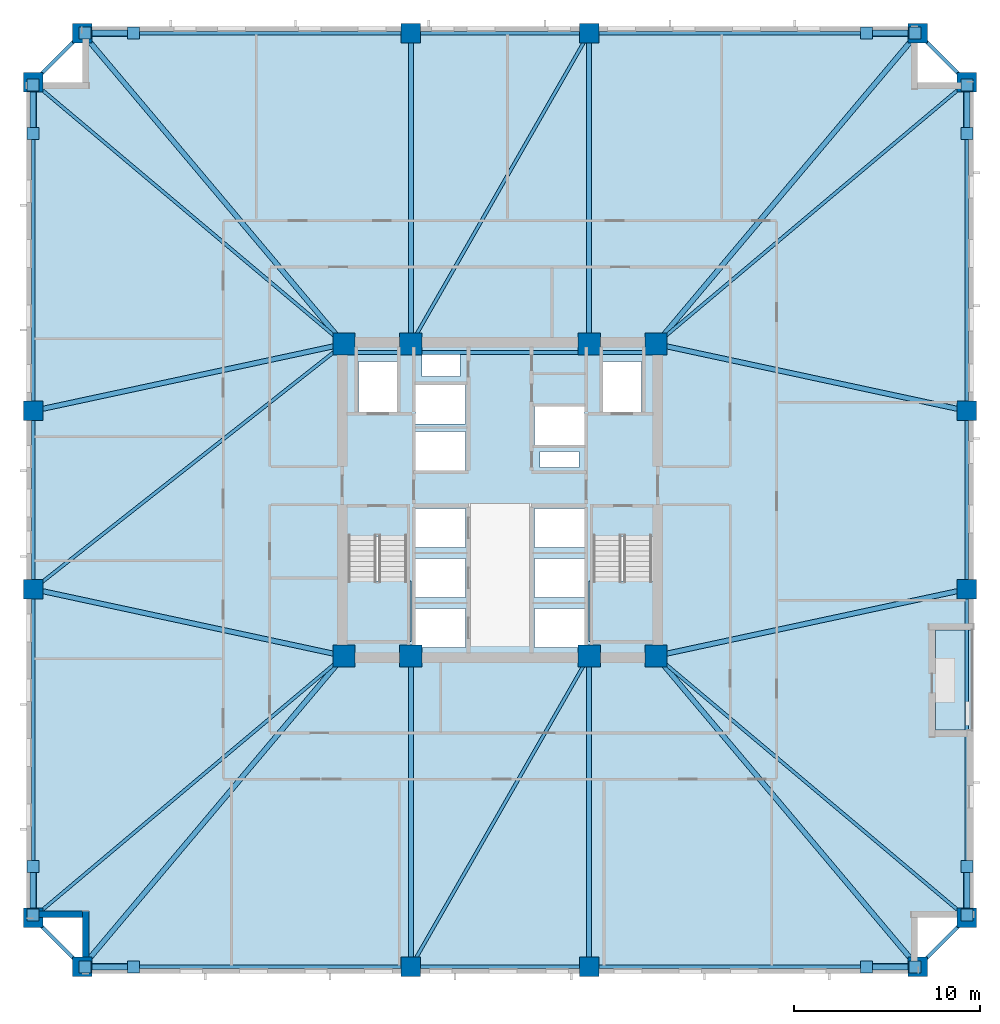
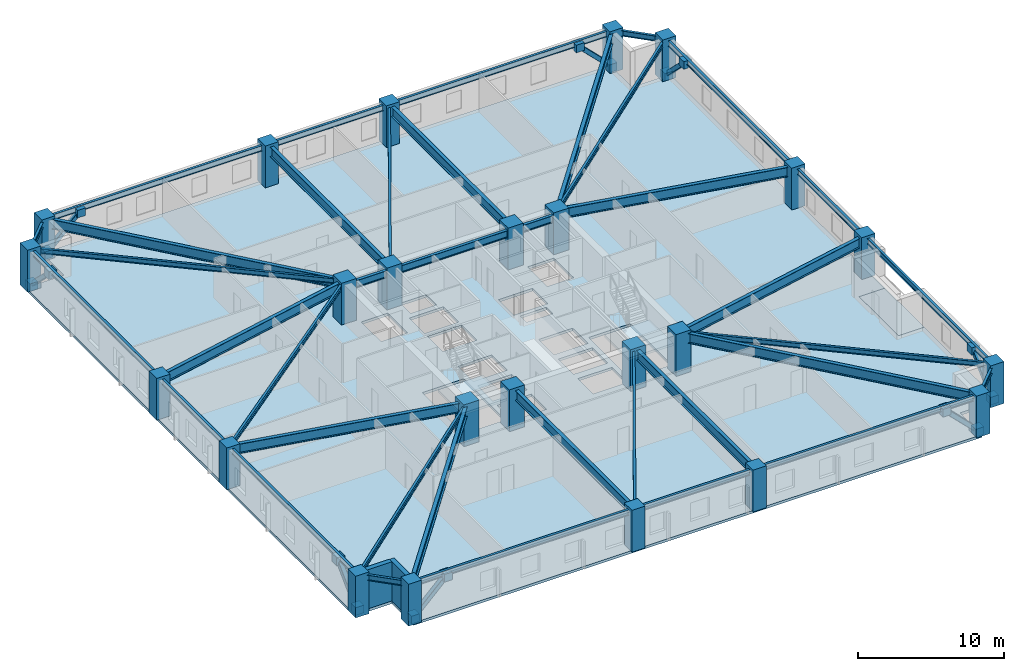
# One storey, part 1 of 11: 38 beams, 24 columns, 16 plates, 8 members, 4 slabs, 2 walls, 2 elements without a shape of their own.
"""IFC4 building model written with IfcOpenShell, lengths in metres."""

from ifc_helpers import new_model, si_unit, direction, frame, frame_2d, origin, origin_2d, place, context, subcontext, project, spatial, polyline, rectangle, hollow_rectangle, i_section, outline, extrude, material, layer, layer_set, material_profile, profile_set, type_object, element, aggregate, save


model = new_model("IFC4")

# Units and contexts
model_context = context("Model", 3, precision=1e-05, world=origin(), true_north=direction((0.0, 1.0)))
body_context = subcontext(model_context, "Body", "Model", "MODEL_VIEW")
ifc_project = project(units=[si_unit("LENGTHUNIT", "METRE"), si_unit("AREAUNIT", "SQUARE_METRE"), si_unit("VOLUMEUNIT", "CUBIC_METRE"), si_unit("PLANEANGLEUNIT", "RADIAN"), si_unit("MASSUNIT", "GRAM", prefix="KILO")], contexts=[model_context])

# Site, building, storey
site_placement = place(None, origin())
site = spatial("IfcSite", under=ifc_project, at=site_placement, CompositionType="ELEMENT")
building_placement = place(site_placement, origin())
building = spatial("IfcBuilding", under=site, at=building_placement, Name="Cairnveth Concourse Tower", CompositionType="ELEMENT")
storey_placement = place(building_placement, frame((0.0, 0.0, 55.0)))
storey = spatial("IfcBuildingStorey", under=building, at=storey_placement, Name="L14", CompositionType="ELEMENT", Elevation=55.0)

# Columns
ifc_material_1 = material(Name="Concrete N80 (80 MPa)", Category="concrete")
ifc_material_profile_1 = material_profile(ifc_material_1, rectangle(XDim=1.199951171875, YDim=1.199951171875, at=origin_2d()), Name="RC-COL-1200x1200")
ifc_profile_set_1 = profile_set([ifc_material_profile_1], Name="Concrete N80 (80 MPa)")
column_type_1 = type_object("IfcColumnType", Name="CORE COLUMN 1200X1200", PredefinedType="COLUMN", material=ifc_profile_set_1)
for number, where, z_axis, x_axis, name in (
    (1, (43.60009765625, 30.60009765625, 0.0), (0.0, 0.0, 1.0), (1.0, 0.0, 0.0), "Column CC1 L14"),
    (2, (47.199951171875, 30.60009765625, 0.0), (0.0, 0.0, 1.0), (1.0, 0.0, 0.0), "Column CC2 L14"),
    (3, (56.800048828125, 30.60009765625, 0.0), (0.0, 0.0, 1.0), (1.0, 0.0, 0.0), "Column CC3 L14"),
    (4, (60.39990234375, 30.60009765625, 0.0), (0.0, 0.0, 1.0), (1.0, 0.0, 0.0), "Column CC4 L14"),
    (5, (43.60009765625, 47.39990234375, 0.0), (0.0, 0.0, 1.0), (1.0, 0.0, 0.0), "Column CC5 L14"),
    (6, (47.199951171875, 47.39990234375, 0.0), (0.0, 0.0, 1.0), (1.0, 0.0, 0.0), "Column CC6 L14"),
    (7, (56.800048828125, 47.39990234375, 0.0), (0.0, 0.0, 1.0), (1.0, 0.0, 0.0), "Column CC7 L14"),
    (8, (60.39990234375, 47.39990234375, 0.0), (0.0, 0.0, 1.0), (1.0, 0.0, 0.0), "Column CC8 L14"),
):
    element("IfcColumn", number, at=place(storey_placement, frame(where, z_axis=z_axis, x_axis=x_axis)), inside=storey, type_object=column_type_1, Name=name, PredefinedType="COLUMN", context=body_context, shape_type="SweptSolid", body=[
        extrude(rectangle(XDim=1.199951171875, YDim=1.199951171875, at=origin_2d()), origin(), (0.0, 0.0, 1.0), 3.5),
    ])
ifc_material_2 = material(Name="Concrete N65 (65 MPa)", Category="concrete")
ifc_material_profile_2 = material_profile(ifc_material_2, rectangle(XDim=1.050048828125, YDim=1.050048828125, at=origin_2d()), Name="RC-COL-1050x1050")
ifc_profile_set_2 = profile_set([ifc_material_profile_2], Name="Concrete N65 (65 MPa)")
column_type_2 = type_object("IfcColumnType", Name="PERIMETER PIER COLUMN 1050X1050", PredefinedType="COLUMN", material=ifc_profile_set_2)
for number, where, z_axis, x_axis, name in (
    (9, (29.5, 13.85009765625, 0.0), (0.0, 0.0, 1.0), (1.0, 0.0, 0.0), "Column P-S1 L14"),
    (10, (47.199951171875, 13.85009765625, 0.0), (0.0, 0.0, 1.0), (1.0, 0.0, 0.0), "Column P-S2 L14"),
    (11, (56.800048828125, 13.85009765625, 0.0), (0.0, 0.0, 1.0), (1.0, 0.0, 0.0), "Column P-S3 L14"),
    (12, (74.5, 13.85009765625, 0.0), (0.0, 0.0, 1.0), (1.0, 0.0, 0.0), "Column P-S4 L14"),
    (13, (77.14990234375, 16.5, 0.0), (0.0, 0.0, 1.0), (0.0, 1.0, 0.0), "Column P-E1 L14"),
    (14, (77.14990234375, 34.199951171875, 0.0), (0.0, 0.0, 1.0), (0.0, 1.0, 0.0), "Column P-E2 L14"),
    (15, (77.14990234375, 43.800048828125, 0.0), (0.0, 0.0, 1.0), (0.0, 1.0, 0.0), "Column P-E3 L14"),
    (16, (77.14990234375, 61.5, 0.0), (0.0, 0.0, 1.0), (0.0, 1.0, 0.0), "Column P-E4 L14"),
    (17, (74.5, 64.14990234375, 0.0), (0.0, 0.0, 1.0), (1.0, 0.0, 0.0), "Column P-N1 L14"),
    (18, (56.800048828125, 64.14990234375, 0.0), (0.0, 0.0, 1.0), (1.0, 0.0, 0.0), "Column P-N2 L14"),
    (19, (47.199951171875, 64.14990234375, 0.0), (0.0, 0.0, 1.0), (1.0, 0.0, 0.0), "Column P-N3 L14"),
    (20, (29.5, 64.14990234375, 0.0), (0.0, 0.0, 1.0), (1.0, 0.0, 0.0), "Column P-N4 L14"),
    (21, (26.85009765625, 61.5, 0.0), (0.0, 0.0, 1.0), (0.0, 1.0, 0.0), "Column P-W1 L14"),
    (22, (26.85009765625, 43.800048828125, 0.0), (0.0, 0.0, 1.0), (0.0, 1.0, 0.0), "Column P-W2 L14"),
    (23, (26.85009765625, 34.199951171875, 0.0), (0.0, 0.0, 1.0), (0.0, 1.0, 0.0), "Column P-W3 L14"),
    (24, (26.85009765625, 16.5, 0.0), (0.0, 0.0, 1.0), (0.0, 1.0, 0.0), "Column P-W4 L14"),
):
    element("IfcColumn", number, at=place(storey_placement, frame(where, z_axis=z_axis, x_axis=x_axis)), inside=storey, type_object=column_type_2, Name=name, PredefinedType="COLUMN", context=body_context, shape_type="SweptSolid", body=[
        extrude(rectangle(XDim=1.050048828125, YDim=1.050048828125, at=origin_2d()), origin(), (0.0, 0.0, 1.0), 3.5),
    ])

# Beams
ifc_material_3 = material(Name="Steel Grade 350", Category="steel")
ifc_material_profile_3 = material_profile(ifc_material_3, i_section(OverallWidth=0.22802734375, OverallDepth=0.60693359375, WebThickness=0.01123046875, FlangeThickness=0.017333984375, FilletRadius=0.013916015625, at=origin_2d()), Name="610UB113")
ifc_profile_set_3 = profile_set([ifc_material_profile_3], Name="Steel Grade 350")
beam_type_1 = type_object("IfcBeamType", Name="CORE TIE BEAM 610UB113", PredefinedType="T_BEAM", material=ifc_profile_set_3)
for number, where, z_axis, x_axis, name in (
    (25, (43.60009765625, 46.949951171875, 2.9765625), (1.0, 0.0, 0.0), (0.0, 1.0, 0.0), "Beam CT-N1 L14"),
    (26, (56.800048828125, 46.949951171875, 2.9765625), (1.0, 0.0, 0.0), (0.0, 1.0, 0.0), "Beam CT-N3 L14"),
):
    element("IfcBeam", number, at=place(storey_placement, frame(where, z_axis=z_axis, x_axis=x_axis)), inside=storey, type_object=beam_type_1, Name=name, PredefinedType="T_BEAM", context=body_context, shape_type="SweptSolid", body=[
        extrude(i_section(OverallWidth=0.22802734375, OverallDepth=0.60693359375, WebThickness=0.01123046875, FlangeThickness=0.017333984375, FilletRadius=0.013916015625, at=origin_2d()), origin(), (0.0, 0.0, 1.0), 3.599853515625),
    ])
beam_1_placement = place(storey_placement, frame((47.199951171875, 46.949951171875, 2.9765625), z_axis=(1.0, 0.0, 0.0), x_axis=(0.0, 1.0, 0.0)))
element("IfcBeam", 27, at=beam_1_placement, inside=storey, type_object=beam_type_1, Name="Beam CT-N2 L14", PredefinedType="T_BEAM", context=body_context, shape_type="SweptSolid", body=[
    extrude(i_section(OverallWidth=0.22802734375, OverallDepth=0.60693359375, WebThickness=0.01123046875, FlangeThickness=0.017333984375, FilletRadius=0.013916015625, at=origin_2d()), origin(), (0.0, 0.0, 1.0), 9.60009765625),
])
ifc_material_profile_4 = material_profile(ifc_material_3, i_section(OverallWidth=0.177978515625, OverallDepth=0.406005859375, WebThickness=0.0078125, FlangeThickness=0.0126953125, FilletRadius=0.010986328125, at=origin_2d()), Name="410UB59.7")
ifc_profile_set_4 = profile_set([ifc_material_profile_4], Name="Steel Grade 350")
beam_type_2 = type_object("IfcBeamType", Name="ZONE 1 FLOOR JOIST 410UB59.7", PredefinedType="JOIST", material=ifc_profile_set_4)
for number, where, z_axis, x_axis, name in (
    (28, (26.85009765625, 16.5, 3.076904296875), (0.765027427674, 0.643997697905, 0.0), (-0.643997697905, 0.765027427674, 0.0), "Beam FJ-CSW2 L14"),
    (29, (77.14990234375, 16.5, 3.076904296875), (-0.765027427674, 0.643997697905, 0.0), (-0.643997697905, -0.765027427674, 0.0), "Beam FJ-CSE2 L14"),
    (30, (77.14990234375, 61.5, 3.076904296875), (-0.765027427674, -0.643997697905, 0.0), (0.643997697905, -0.765027427674, 0.0), "Beam FJ-CNE2 L14"),
    (31, (26.85009765625, 61.5, 3.076904296875), (0.765027427674, -0.643997697905, 0.0), (0.643997697905, 0.765027427674, 0.0), "Beam FJ-CNW2 L14"),
):
    element("IfcBeam", number, at=place(storey_placement, frame(where, z_axis=z_axis, x_axis=x_axis)), inside=storey, type_object=beam_type_2, Name=name, PredefinedType="JOIST", context=body_context, shape_type="SweptSolid", body=[
        extrude(i_section(OverallWidth=0.177978515625, OverallDepth=0.406005859375, WebThickness=0.0078125, FlangeThickness=0.0126953125, FilletRadius=0.010986328125, at=origin_2d()), origin(), (0.0, 0.0, 1.0), 21.89453125),
    ])
for number, where, z_axis, x_axis, name in (
    (32, (47.199951171875, 13.85009765625, 3.076904296875), (0.497257970706, 0.86760273776, 0.0), (-0.86760273776, 0.497257970706, 0.0), "Beam FJ-S-M1 L14"),
    (33, (47.199951171875, 47.39990234375, 3.076904296875), (0.497257970706, 0.86760273776, 0.0), (-0.86760273776, 0.497257970706, 0.0), "Beam FJ-N-M1 L14"),
):
    element("IfcBeam", number, at=place(storey_placement, frame(where, z_axis=z_axis, x_axis=x_axis)), inside=storey, type_object=beam_type_2, Name=name, PredefinedType="JOIST", context=body_context, shape_type="SweptSolid", body=[
        extrude(i_section(OverallWidth=0.177978515625, OverallDepth=0.406005859375, WebThickness=0.0078125, FlangeThickness=0.0126953125, FilletRadius=0.010986328125, at=origin_2d()), origin(), (0.0, 0.0, 1.0), 19.30615234375),
    ])
beam_2_placement = place(storey_placement, frame((26.85009765625, 34.199951171875, 3.076904296875), z_axis=(0.785423705995, 0.618958481694, 0.0), x_axis=(-0.618958481694, 0.785423705995, 0.0)))
element("IfcBeam", 34, at=beam_2_placement, inside=storey, type_object=beam_type_2, Name="Beam FJ-W-M1 L14", PredefinedType="JOIST", context=body_context, shape_type="SweptSolid", body=[
    extrude(i_section(OverallWidth=0.177978515625, OverallDepth=0.406005859375, WebThickness=0.0078125, FlangeThickness=0.0126953125, FilletRadius=0.010986328125, at=origin_2d()), origin(), (0.0, 0.0, 1.0), 21.326171875),
])

# Members
ifc_material_4 = material(Name="Steel C350L0 (350 MPa)", Category="steel")
ifc_material_profile_5 = material_profile(ifc_material_4, hollow_rectangle(XDim=0.35009765625, YDim=0.35009765625, WallThickness=0.01611328125, InnerFilletRadius=0.01611328125, OuterFilletRadius=0.031982421875, at=origin_2d()), Name="350x350x16.0SHS")
ifc_profile_set_5 = profile_set([ifc_material_profile_5], Name="Steel C350L0 (350 MPa)")
member_type = type_object("IfcMemberType", Name="ZONE 1 PIER BRACE 350X350X16SHS", PredefinedType="BRACE", material=ifc_profile_set_5)
for number, where, z_axis, x_axis, name in (
    (35, (29.64990234375, 13.85009765625, 0.25), (0.709834195787, 0.0, 0.704368805735), (0.0, 1.0, 0.0), "Structural Brace PB-S1 L14"),
    (36, (74.35009765625, 13.85009765625, 0.25), (-0.709834195787, 0.0, 0.704368805735), (0.0, -1.0, 0.0), "Structural Brace PB-S2 L14"),
    (37, (29.64990234375, 64.14990234375, 0.25), (0.709834195787, 0.0, 0.704368805735), (0.0, 1.0, 0.0), "Structural Brace PB-N1 L14"),
    (38, (74.35009765625, 64.14990234375, 0.25), (-0.709834195787, 0.0, 0.704368805735), (0.0, -1.0, 0.0), "Structural Brace PB-N2 L14"),
    (39, (26.85009765625, 16.64990234375, 0.25), (0.0, 0.709834195787, 0.704368805735), (-1.0, 0.0, 0.0), "Structural Brace PB-W1 L14"),
    (40, (26.85009765625, 61.35009765625, 0.25), (0.0, -0.709834195787, 0.704368805735), (1.0, 0.0, 0.0), "Structural Brace PB-W2 L14"),
    (41, (77.14990234375, 16.64990234375, 0.25), (0.0, 0.709834195787, 0.704368805735), (-1.0, 0.0, 0.0), "Structural Brace PB-E1 L14"),
    (42, (77.14990234375, 61.35009765625, 0.25), (0.0, -0.709834195787, 0.704368805735), (1.0, 0.0, 0.0), "Structural Brace PB-E2 L14"),
):
    element("IfcMember", number, at=place(storey_placement, frame(where, z_axis=z_axis, x_axis=x_axis)), inside=storey, type_object=member_type, Name=name, PredefinedType="BRACE", context=body_context, shape_type="SweptSolid", body=[
        extrude(hollow_rectangle(XDim=0.35009765625, YDim=0.35009765625, WallThickness=0.01611328125, InnerFilletRadius=0.01611328125, OuterFilletRadius=0.031982421875, at=origin_2d()), origin(), (0.0, 0.0, 1.0), 3.6630859375),
    ])

# Beams
ifc_material_profile_6 = material_profile(ifc_material_3, i_section(OverallWidth=0.27490234375, OverallDepth=0.81591796875, WebThickness=0.011962890625, FlangeThickness=0.028076171875, at=origin_2d()), Name="800WB192")
ifc_profile_set_6 = profile_set([ifc_material_profile_6], Name="Steel Grade 350")
beam_type_3 = type_object("IfcBeamType", Name="ZONE 1 RADIAL GIRDER 800WB192", PredefinedType="BEAM", material=ifc_profile_set_6)
for number, where, z_axis, x_axis, name in (
    (43, (47.199951171875, 13.85009765625, 2.8720703125), (0.0, 1.0, 0.0), (-1.0, 0.0, 0.0), "Beam RG-S1 L14"),
    (44, (56.800048828125, 13.85009765625, 2.8720703125), (0.0, 1.0, 0.0), (-1.0, 0.0, 0.0), "Beam RG-S2 L14"),
    (45, (47.199951171875, 47.39990234375, 2.8720703125), (0.0, 1.0, 0.0), (-1.0, 0.0, 0.0), "Beam RG-N1 L14"),
    (46, (56.800048828125, 47.39990234375, 2.8720703125), (0.0, 1.0, 0.0), (-1.0, 0.0, 0.0), "Beam RG-N2 L14"),
):
    element("IfcBeam", number, at=place(storey_placement, frame(where, z_axis=z_axis, x_axis=x_axis)), inside=storey, type_object=beam_type_3, Name=name, PredefinedType="BEAM", context=body_context, shape_type="SweptSolid", body=[
        extrude(i_section(OverallWidth=0.27490234375, OverallDepth=0.81591796875, WebThickness=0.011962890625, FlangeThickness=0.028076171875, at=origin_2d()), origin(), (0.0, 0.0, 1.0), 16.75),
    ])
for number, where, z_axis, x_axis, name in (
    (47, (26.85009765625, 34.199951171875, 2.8720703125), (0.977675861524, -0.210118799239, 0.0), (0.210118799239, 0.977675861524, 0.0), "Beam RG-W1 L14"),
    (48, (26.85009765625, 43.800048828125, 2.8720703125), (0.977675861524, 0.210118799239, 0.0), (-0.210118799239, 0.977675861524, 0.0), "Beam RG-W2 L14"),
    (49, (60.39990234375, 30.60009765625, 2.8720703125), (0.977675861524, 0.210118799239, 0.0), (-0.210118799239, 0.977675861524, 0.0), "Beam RG-E1 L14"),
    (50, (60.39990234375, 47.39990234375, 2.8720703125), (0.977675861524, -0.210118799239, 0.0), (0.210118799239, 0.977675861524, 0.0), "Beam RG-E2 L14"),
):
    element("IfcBeam", number, at=place(storey_placement, frame(where, z_axis=z_axis, x_axis=x_axis)), inside=storey, type_object=beam_type_3, Name=name, PredefinedType="BEAM", context=body_context, shape_type="SweptSolid", body=[
        extrude(i_section(OverallWidth=0.27490234375, OverallDepth=0.81591796875, WebThickness=0.011962890625, FlangeThickness=0.028076171875, at=origin_2d()), origin(), (0.0, 0.0, 1.0), 17.132568359375),
    ])
for number, where, z_axis, x_axis, name in (
    (51, (29.5, 13.85009765625, 2.8720703125), (0.643997697905, 0.765027427674, 0.0), (-0.765027427674, 0.643997697905, 0.0), "Beam RG-CSW L14"),
    (52, (74.5, 13.85009765625, 2.8720703125), (-0.643997697905, 0.765027427674, 0.0), (-0.765027427674, -0.643997697905, 0.0), "Beam RG-CSE L14"),
    (53, (74.5, 64.14990234375, 2.8720703125), (-0.643997697905, -0.765027427674, 0.0), (0.765027427674, -0.643997697905, 0.0), "Beam RG-CNE L14"),
    (54, (29.5, 64.14990234375, 2.8720703125), (0.643997697905, -0.765027427674, 0.0), (0.765027427674, 0.643997697905, 0.0), "Beam RG-CNW L14"),
):
    element("IfcBeam", number, at=place(storey_placement, frame(where, z_axis=z_axis, x_axis=x_axis)), inside=storey, type_object=beam_type_3, Name=name, PredefinedType="BEAM", context=body_context, shape_type="SweptSolid", body=[
        extrude(i_section(OverallWidth=0.27490234375, OverallDepth=0.81591796875, WebThickness=0.011962890625, FlangeThickness=0.028076171875, at=origin_2d()), origin(), (0.0, 0.0, 1.0), 21.89453125),
    ])
ifc_material_profile_7 = material_profile(ifc_material_3, i_section(OverallWidth=0.19091796875, OverallDepth=0.4599609375, WebThickness=0.010009765625, FlangeThickness=0.01611328125, FilletRadius=0.010986328125, at=origin_2d()), Name="460UB82.1")
ifc_profile_set_7 = profile_set([ifc_material_profile_7], Name="Steel Grade 350")
beam_type_4 = type_object("IfcBeamType", Name="ZONE 1 SPANDREL BEAM 460UB82.1", PredefinedType="SPANDREL", material=ifc_profile_set_7)
beam_3_placement = place(storey_placement, frame((29.5, 13.85009765625, 3.050048828125), z_axis=(1.0, 0.0, 0.0), x_axis=(0.0, 1.0, 0.0)))
element("IfcBeam", 55, at=beam_3_placement, inside=storey, type_object=beam_type_4, Name="Beam SP-S1 L14", PredefinedType="SPANDREL", context=body_context, shape_type="SweptSolid", body=[
    extrude(i_section(OverallWidth=0.19091796875, OverallDepth=0.4599609375, WebThickness=0.010009765625, FlangeThickness=0.01611328125, FilletRadius=0.010986328125, at=origin_2d()), origin(), (0.0, 0.0, 1.0), 17.699951171875),
])
beam_4_placement = place(storey_placement, frame((47.199951171875, 13.85009765625, 3.050048828125), z_axis=(1.0, 0.0, 0.0), x_axis=(0.0, 1.0, 0.0)))
element("IfcBeam", 56, at=beam_4_placement, inside=storey, type_object=beam_type_4, Name="Beam SP-S2 L14", PredefinedType="SPANDREL", context=body_context, shape_type="SweptSolid", body=[
    extrude(i_section(OverallWidth=0.19091796875, OverallDepth=0.4599609375, WebThickness=0.010009765625, FlangeThickness=0.01611328125, FilletRadius=0.010986328125, at=origin_2d()), origin(), (0.0, 0.0, 1.0), 9.60009765625),
])
for number, where, z_axis, x_axis, name in (
    (57, (56.800048828125, 13.85009765625, 3.050048828125), (1.0, 0.0, 0.0), (0.0, 1.0, 0.0), "Beam SP-S3 L14"),
    (58, (29.5, 64.14990234375, 3.050048828125), (1.0, 0.0, 0.0), (0.0, 1.0, 0.0), "Beam SP-N1 L14"),
):
    element("IfcBeam", number, at=place(storey_placement, frame(where, z_axis=z_axis, x_axis=x_axis)), inside=storey, type_object=beam_type_4, Name=name, PredefinedType="SPANDREL", context=body_context, shape_type="SweptSolid", body=[
        extrude(i_section(OverallWidth=0.19091796875, OverallDepth=0.4599609375, WebThickness=0.010009765625, FlangeThickness=0.01611328125, FilletRadius=0.010986328125, at=origin_2d()), origin(), (0.0, 0.0, 1.0), 17.699951171875),
    ])
beam_5_placement = place(storey_placement, frame((47.199951171875, 64.14990234375, 3.050048828125), z_axis=(1.0, 0.0, 0.0), x_axis=(0.0, 1.0, 0.0)))
element("IfcBeam", 59, at=beam_5_placement, inside=storey, type_object=beam_type_4, Name="Beam SP-N2 L14", PredefinedType="SPANDREL", context=body_context, shape_type="SweptSolid", body=[
    extrude(i_section(OverallWidth=0.19091796875, OverallDepth=0.4599609375, WebThickness=0.010009765625, FlangeThickness=0.01611328125, FilletRadius=0.010986328125, at=origin_2d()), origin(), (0.0, 0.0, 1.0), 9.60009765625),
])
for number, where, z_axis, x_axis, name in (
    (60, (56.800048828125, 64.14990234375, 3.050048828125), (1.0, 0.0, 0.0), (0.0, 1.0, 0.0), "Beam SP-N3 L14"),
    (61, (26.85009765625, 16.5, 3.050048828125), (0.0, 1.0, 0.0), (-1.0, 0.0, 0.0), "Beam SP-W1 L14"),
):
    element("IfcBeam", number, at=place(storey_placement, frame(where, z_axis=z_axis, x_axis=x_axis)), inside=storey, type_object=beam_type_4, Name=name, PredefinedType="SPANDREL", context=body_context, shape_type="SweptSolid", body=[
        extrude(i_section(OverallWidth=0.19091796875, OverallDepth=0.4599609375, WebThickness=0.010009765625, FlangeThickness=0.01611328125, FilletRadius=0.010986328125, at=origin_2d()), origin(), (0.0, 0.0, 1.0), 17.699951171875),
    ])
beam_6_placement = place(storey_placement, frame((26.85009765625, 34.199951171875, 3.050048828125), z_axis=(0.0, 1.0, 0.0), x_axis=(-1.0, 0.0, 0.0)))
element("IfcBeam", 62, at=beam_6_placement, inside=storey, type_object=beam_type_4, Name="Beam SP-W2 L14", PredefinedType="SPANDREL", context=body_context, shape_type="SweptSolid", body=[
    extrude(i_section(OverallWidth=0.19091796875, OverallDepth=0.4599609375, WebThickness=0.010009765625, FlangeThickness=0.01611328125, FilletRadius=0.010986328125, at=origin_2d()), origin(), (0.0, 0.0, 1.0), 9.60009765625),
])
for number, where, z_axis, x_axis, name in (
    (63, (26.85009765625, 43.800048828125, 3.050048828125), (0.0, 1.0, 0.0), (-1.0, 0.0, 0.0), "Beam SP-W3 L14"),
    (64, (77.14990234375, 16.5, 3.050048828125), (0.0, 1.0, 0.0), (-1.0, 0.0, 0.0), "Beam SP-E1 L14"),
):
    element("IfcBeam", number, at=place(storey_placement, frame(where, z_axis=z_axis, x_axis=x_axis)), inside=storey, type_object=beam_type_4, Name=name, PredefinedType="SPANDREL", context=body_context, shape_type="SweptSolid", body=[
        extrude(i_section(OverallWidth=0.19091796875, OverallDepth=0.4599609375, WebThickness=0.010009765625, FlangeThickness=0.01611328125, FilletRadius=0.010986328125, at=origin_2d()), origin(), (0.0, 0.0, 1.0), 17.699951171875),
    ])
beam_7_placement = place(storey_placement, frame((77.14990234375, 34.199951171875, 3.050048828125), z_axis=(0.0, 1.0, 0.0), x_axis=(-1.0, 0.0, 0.0)))
element("IfcBeam", 65, at=beam_7_placement, inside=storey, type_object=beam_type_4, Name="Beam SP-E2 L14", PredefinedType="SPANDREL", context=body_context, shape_type="SweptSolid", body=[
    extrude(i_section(OverallWidth=0.19091796875, OverallDepth=0.4599609375, WebThickness=0.010009765625, FlangeThickness=0.01611328125, FilletRadius=0.010986328125, at=origin_2d()), origin(), (0.0, 0.0, 1.0), 9.60009765625),
])
beam_8_placement = place(storey_placement, frame((77.14990234375, 43.800048828125, 3.050048828125), z_axis=(0.0, 1.0, 0.0), x_axis=(-1.0, 0.0, 0.0)))
element("IfcBeam", 66, at=beam_8_placement, inside=storey, type_object=beam_type_4, Name="Beam SP-E3 L14", PredefinedType="SPANDREL", context=body_context, shape_type="SweptSolid", body=[
    extrude(i_section(OverallWidth=0.19091796875, OverallDepth=0.4599609375, WebThickness=0.010009765625, FlangeThickness=0.01611328125, FilletRadius=0.010986328125, at=origin_2d()), origin(), (0.0, 0.0, 1.0), 17.699951171875),
])
for number, where, z_axis, x_axis, name in (
    (67, (26.85009765625, 16.5, 3.050048828125), (0.707106781187, -0.707106781187, 0.0), (0.707106781187, 0.707106781187, 0.0), "Beam SP-SW L14"),
    (68, (74.5, 13.85009765625, 3.050048828125), (0.707106781187, 0.707106781187, 0.0), (-0.707106781187, 0.707106781187, 0.0), "Beam SP-SE L14"),
    (69, (74.5, 64.14990234375, 3.050048828125), (0.707106781187, -0.707106781187, 0.0), (0.707106781187, 0.707106781187, 0.0), "Beam SP-NE L14"),
    (70, (26.85009765625, 61.5, 3.050048828125), (0.707106781187, 0.707106781187, 0.0), (-0.707106781187, 0.707106781187, 0.0), "Beam SP-NW L14"),
):
    element("IfcBeam", number, at=place(storey_placement, frame(where, z_axis=z_axis, x_axis=x_axis)), inside=storey, type_object=beam_type_4, Name=name, PredefinedType="SPANDREL", context=body_context, shape_type="SweptSolid", body=[
        extrude(i_section(OverallWidth=0.19091796875, OverallDepth=0.4599609375, WebThickness=0.010009765625, FlangeThickness=0.01611328125, FilletRadius=0.010986328125, at=origin_2d()), origin(), (0.0, 0.0, 1.0), 3.74755859375),
    ])

# Slab
ifc_material_5 = material(Name="Concrete N50 (50 MPa)", Category="concrete")
ifc_layer_1 = layer(ifc_material_5, 0.219970703125)
ifc_layer_set_1 = layer_set([ifc_layer_1], Name="Concrete N50 (50 MPa)")
slab_type_1 = type_object("IfcSlabType", Name="LOWER TOWER COMPOSITE SLAB 220", PredefinedType="FLOOR", material=ifc_layer_set_1)
slab_1_placement = place(storey_placement, frame((0.0, 0.0, -0.219970703125)))
element("IfcSlab", 71, at=slab_1_placement, inside=storey, type_object=slab_type_1, Name="Tower Floor Slab L14", PredefinedType="FLOOR", context=body_context, shape_type="SweptSolid", body=[
    extrude(outline(polyline([(77.5, 26.60009765625), (75.449951171875, 26.60009765625), (75.449951171875, 32.0), (77.5, 32.0), (77.5, 61.5), (74.5, 61.5), (74.5, 64.5), (29.5, 64.5), (29.5, 61.5), (26.5, 61.5), (26.5, 16.5), (29.5, 16.5), (29.5, 13.5), (74.5, 13.5), (74.5, 16.5), (77.5, 16.5), (77.5, 26.60009765625)]), holes=[polyline([(43.760009765625, 31.360107421875), (47.06005859375, 31.360107421875), (47.06005859375, 37.0400390625), (43.760009765625, 37.0400390625), (43.760009765625, 31.360107421875)]), polyline([(56.93994140625, 31.360107421875), (60.239990234375, 31.360107421875), (60.239990234375, 37.0400390625), (56.93994140625, 37.0400390625), (56.93994140625, 31.360107421875)]), polyline([(44.3701171875, 43.75), (46.469970703125, 43.75), (46.469970703125, 46.449951171875), (44.3701171875, 46.449951171875), (44.3701171875, 43.75)]), polyline([(57.530029296875, 43.75), (59.6298828125, 43.75), (59.6298828125, 46.449951171875), (57.530029296875, 46.449951171875), (57.530029296875, 43.75)]), polyline([(47.449951171875, 31.050048828125), (50.14990234375, 31.050048828125), (50.14990234375, 33.14990234375), (47.449951171875, 33.14990234375), (47.449951171875, 31.050048828125)]), polyline([(47.449951171875, 33.75), (50.14990234375, 33.75), (50.14990234375, 35.85009765625), (47.449951171875, 35.85009765625), (47.449951171875, 33.75)]), polyline([(47.449951171875, 36.449951171875), (50.14990234375, 36.449951171875), (50.14990234375, 38.550048828125), (47.449951171875, 38.550048828125), (47.449951171875, 36.449951171875)]), polyline([(53.85009765625, 31.050048828125), (56.550048828125, 31.050048828125), (56.550048828125, 33.14990234375), (53.85009765625, 33.14990234375), (53.85009765625, 31.050048828125)]), polyline([(53.85009765625, 33.75), (56.550048828125, 33.75), (56.550048828125, 35.85009765625), (53.85009765625, 35.85009765625), (53.85009765625, 33.75)]), polyline([(53.85009765625, 36.449951171875), (56.550048828125, 36.449951171875), (56.550048828125, 38.550048828125), (53.85009765625, 38.550048828125), (53.85009765625, 36.449951171875)]), polyline([(47.449951171875, 40.60009765625), (50.14990234375, 40.60009765625), (50.14990234375, 42.699951171875), (47.449951171875, 42.699951171875), (47.449951171875, 40.60009765625)]), polyline([(47.449951171875, 43.10009765625), (50.14990234375, 43.10009765625), (50.14990234375, 45.199951171875), (47.449951171875, 45.199951171875), (47.449951171875, 43.10009765625)]), polyline([(53.85009765625, 41.949951171875), (56.550048828125, 41.949951171875), (56.550048828125, 44.050048828125), (53.85009765625, 44.050048828125), (53.85009765625, 41.949951171875)]), polyline([(47.800048828125, 45.64990234375), (49.85009765625, 45.64990234375), (49.85009765625, 47.050048828125), (47.800048828125, 47.050048828125), (47.800048828125, 45.64990234375)]), polyline([(54.14990234375, 40.75), (56.25, 40.75), (56.25, 41.6201171875), (54.14990234375, 41.6201171875), (54.14990234375, 40.75)])]), origin(), (0.0, 0.0, 1.0), 0.219970703125),
])

# Plates
ifc_layer_2 = layer(ifc_material_3, 0.031982421875)
ifc_layer_set_2 = layer_set([ifc_layer_2], Name="Steel Grade 350")
plate_type = type_object("IfcPlateType", Name="PERIMETER BRACE GUSSET PLATE 32", PredefinedType="USERDEFINED", material=ifc_layer_set_2)
for number, where, z_axis, x_axis, name in (
    (72, (29.64990234375, 13.85009765625, -0.06982421875), (0.0, 0.0, 1.0), (1.0, 0.0, 0.0), "Structural Node Plate 0205 L14"),
    (73, (32.25, 13.85009765625, 2.51025390625), (0.0, 0.0, 1.0), (1.0, 0.0, 0.0), "Structural Node Plate 0206 L14"),
    (74, (74.35009765625, 13.85009765625, -0.06982421875), (0.0, 0.0, 1.0), (1.0, 0.0, 0.0), "Structural Node Plate 0207 L14"),
    (75, (71.75, 13.85009765625, 2.51025390625), (0.0, 0.0, 1.0), (1.0, 0.0, 0.0), "Structural Node Plate 0208 L14"),
    (76, (29.64990234375, 64.14990234375, -0.06982421875), (0.0, 0.0, 1.0), (1.0, 0.0, 0.0), "Structural Node Plate 0209 L14"),
    (77, (32.25, 64.14990234375, 2.51025390625), (0.0, 0.0, 1.0), (1.0, 0.0, 0.0), "Structural Node Plate 0210 L14"),
    (78, (74.35009765625, 64.14990234375, -0.06982421875), (0.0, 0.0, 1.0), (1.0, 0.0, 0.0), "Structural Node Plate 0211 L14"),
    (79, (71.75, 64.14990234375, 2.51025390625), (0.0, 0.0, 1.0), (1.0, 0.0, 0.0), "Structural Node Plate 0212 L14"),
    (80, (26.85009765625, 16.64990234375, -0.06982421875), (0.0, 0.0, 1.0), (1.0, 0.0, 0.0), "Structural Node Plate 0213 L14"),
    (81, (26.85009765625, 19.25, 2.51025390625), (0.0, 0.0, 1.0), (1.0, 0.0, 0.0), "Structural Node Plate 0214 L14"),
    (82, (26.85009765625, 61.35009765625, -0.06982421875), (0.0, 0.0, 1.0), (1.0, 0.0, 0.0), "Structural Node Plate 0215 L14"),
    (83, (26.85009765625, 58.75, 2.51025390625), (0.0, 0.0, 1.0), (1.0, 0.0, 0.0), "Structural Node Plate 0216 L14"),
    (84, (77.14990234375, 16.64990234375, -0.06982421875), (0.0, 0.0, 1.0), (1.0, 0.0, 0.0), "Structural Node Plate 0217 L14"),
    (85, (77.14990234375, 19.25, 2.51025390625), (0.0, 0.0, 1.0), (1.0, 0.0, 0.0), "Structural Node Plate 0218 L14"),
    (86, (77.14990234375, 61.35009765625, -0.06982421875), (0.0, 0.0, 1.0), (1.0, 0.0, 0.0), "Structural Node Plate 0219 L14"),
    (87, (77.14990234375, 58.75, 2.51025390625), (0.0, 0.0, 1.0), (1.0, 0.0, 0.0), "Structural Node Plate 0220 L14"),
):
    element("IfcPlate", number, at=place(storey_placement, frame(where, z_axis=z_axis, x_axis=x_axis)), inside=storey, type_object=plate_type, Name=name, ObjectType="GUSSET PLATE", PredefinedType="USERDEFINED", context=body_context, shape_type="SweptSolid", body=[
        extrude(rectangle(XDim=0.639892578125, YDim=0.639892578125, at=origin_2d()), origin(), (0.0, 0.0, 1.0), 0.639892578125),
    ])

# Slab
ifc_layer_3 = layer(ifc_material_5, 0.18994140625)
ifc_layer_set_3 = layer_set([ifc_layer_3], Name="Concrete N50 (50 MPa)")
slab_type_2 = type_object("IfcSlabType", Name="SPIRAL OUTDOOR TERRACE SLAB 190", PredefinedType="FLOOR", material=ifc_layer_set_3)
slab_2_placement = place(storey_placement, frame((0.0, 0.0, -0.18994140625)))
element("IfcSlab", 88, at=slab_2_placement, inside=storey, type_object=slab_type_2, Name="Spiral Terrace Slab L14", PredefinedType="FLOOR", context=body_context, shape_type="SweptSolid", body=[
    extrude(outline(polyline([(75.449951171875, 26.60009765625), (77.5, 26.60009765625), (77.5, 32.0), (75.449951171875, 32.0), (75.449951171875, 26.60009765625)])), origin(), (0.0, 0.0, 1.0), 0.18994140625),
])

# Stair, slab
ifc_material_6 = material(Name="Precast concrete N50 (50 MPa)", Category="concrete")
stair_type = type_object("IfcStairType", Name="CORE DOG-LEG FIRE STAIR 1500", PredefinedType="HALF_TURN_STAIR", material=ifc_material_6)
stair_1_placement = place(storey_placement, origin())
stair_1 = element("IfcStair", 89, at=stair_1_placement, inside=storey, type_object=stair_type, Name="L14 Fire-Isolated Stair ST-1", PredefinedType="HALF_TURN_STAIR")
ifc_layer_4 = layer(ifc_material_5, 0.199951171875)
ifc_layer_set_4 = layer_set([ifc_layer_4], Name="Concrete N50 (50 MPa)")
slab_type_3 = type_object("IfcSlabType", Name="STAIR HALF LANDING SLAB 200", PredefinedType="LANDING", material=ifc_layer_set_4)
slab_3_placement = place(storey_placement, frame((0.0, 0.0, 1.550048828125)))
slab_3 = element("IfcSlab", 90, at=slab_3_placement, type_object=slab_type_3, Name="ST-1 landing 1", PredefinedType="LANDING", context=body_context, shape_type="SweptSolid", body=[
    extrude(outline(polyline([(43.6201171875, 34.639892578125), (43.6201171875, 31.3701171875), (47.199951171875, 31.3701171875), (47.199951171875, 34.639892578125), (43.6201171875, 34.639892578125)])), origin(), (0.0, 0.0, 1.0), 0.199951171875),
])
aggregate(stair_1, [slab_3])

stair_2_placement = place(storey_placement, origin())
stair_2 = element("IfcStair", 91, at=stair_2_placement, inside=storey, type_object=stair_type, Name="L14 Fire-Isolated Stair ST-2", PredefinedType="HALF_TURN_STAIR")
slab_4_placement = place(storey_placement, frame((0.0, 0.0, 1.550048828125)))
slab_4 = element("IfcSlab", 92, at=slab_4_placement, type_object=slab_type_3, Name="ST-2 landing 1", PredefinedType="LANDING", context=body_context, shape_type="SweptSolid", body=[
    extrude(outline(polyline([(56.800048828125, 34.639892578125), (56.800048828125, 31.3701171875), (60.3798828125, 31.3701171875), (60.3798828125, 34.639892578125), (56.800048828125, 34.639892578125)])), origin(), (0.0, 0.0, 1.0), 0.199951171875),
])
aggregate(stair_2, [slab_4])

# Walls
ifc_material_7 = material(Name="Hawthorn Red-Ochre Fired Clay Brick Masonry", Category="masonry")
ifc_layer_5 = layer(ifc_material_7, 0.360107421875)
ifc_layer_set_5 = layer_set([ifc_layer_5], Name="Hawthorn Red-Ochre Fired Clay Brick Masonry")
wall_type = type_object("IfcWallType", Name="ZONE 1 BRICK PIER SPANDREL WALL 360", PredefinedType="SOLIDWALL", material=ifc_layer_set_5)
wall_1_placement = place(storey_placement, frame((29.679931640625, 13.5, 0.0), z_axis=(0.0, 0.0, 1.0), x_axis=(0.0, 1.0, 0.0)))
element("IfcWall", 93, at=wall_1_placement, inside=storey, type_object=wall_type, Name="Exterior Wall EW-L14-S04", PredefinedType="SOLIDWALL", context=body_context, shape_type="SweptSolid", body=[
    extrude(rectangle(XDim=3.360107421875, YDim=0.360107421875, at=frame_2d((1.68017578125, 0.0))), origin(), (0.0, 0.0, 1.0), 3.280029296875),
])
wall_2_placement = place(storey_placement, frame((29.52197265625, 16.679931640625, 0.0), z_axis=(0.0, 0.0, 1.0), x_axis=(-1.0, 0.0, 0.0)))
element("IfcWall", 94, at=wall_2_placement, inside=storey, type_object=wall_type, Name="Exterior Wall EW-L14-S05", PredefinedType="SOLIDWALL", context=body_context, shape_type="SweptSolid", body=[
    extrude(rectangle(XDim=2.68408203125, YDim=0.360107421875, at=frame_2d((1.342041015625, 0.0))), origin(), (0.0, 0.0, 1.0), 3.280029296875),
])

save(model, "model.ifc")
